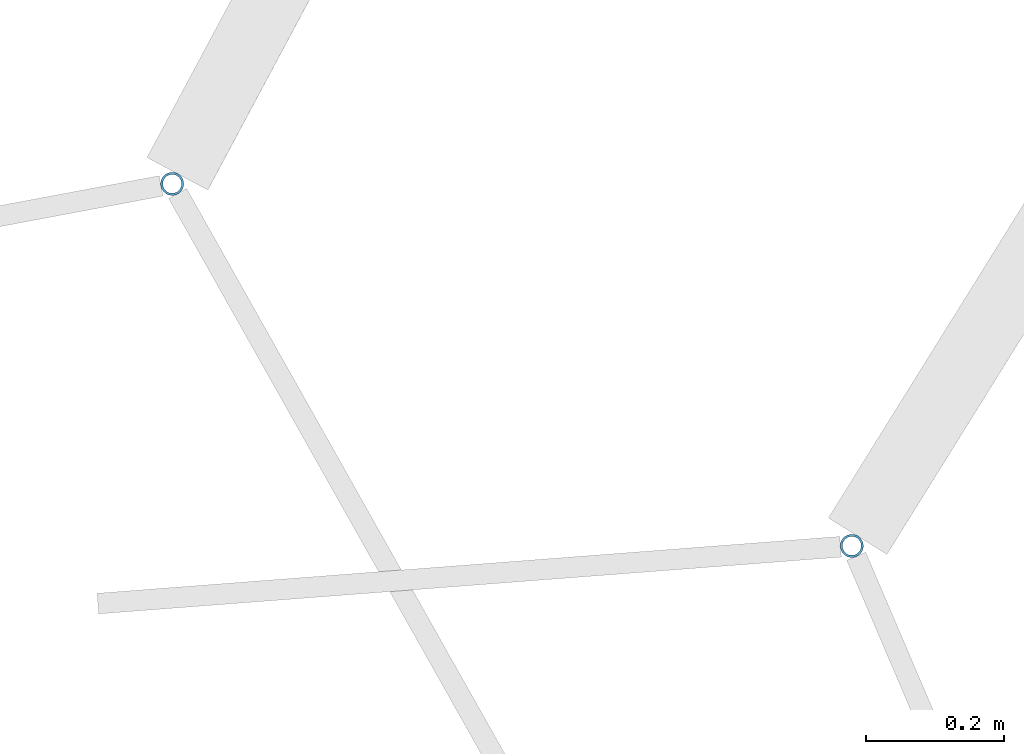
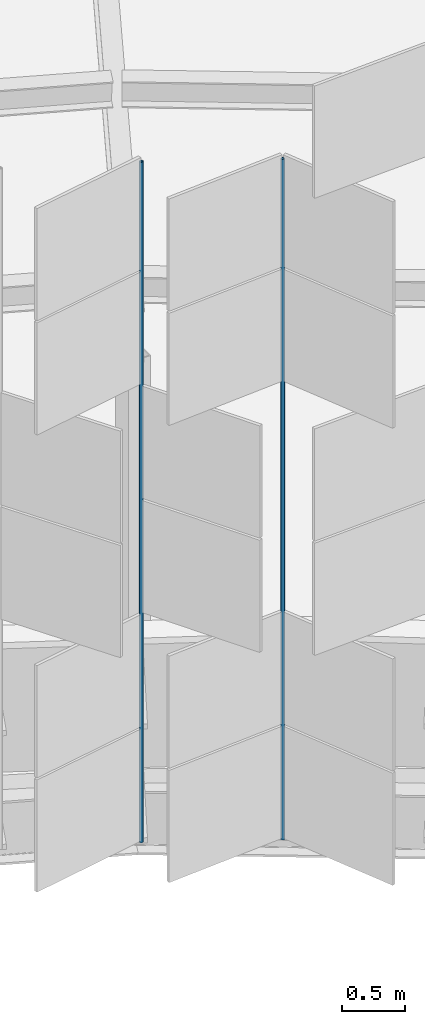
# One storey, part 250 of 483: 2 discrete accessories.
"""IFC4 building model written with IfcOpenShell, lengths in metres."""

from ifc_helpers import new_model, si_unit, direction, frame, origin, origin_2d, place, context, subcontext, project, spatial, hollow_circle, extrude, material, material_profile, profile_set, type_object, element, save


model = new_model("IFC4")

# Units and contexts
model_context = context("Model", 3, precision=1e-05, world=origin(), true_north=direction((0.0, 1.0)))
body_context = subcontext(model_context, "Body", "Model", "MODEL_VIEW")
ifc_project = project(units=[si_unit("LENGTHUNIT", "METRE"), si_unit("AREAUNIT", "SQUARE_METRE"), si_unit("VOLUMEUNIT", "CUBIC_METRE"), si_unit("PLANEANGLEUNIT", "RADIAN"), si_unit("MASSUNIT", "GRAM", prefix="KILO")], contexts=[model_context])

# Site, building, storey
site_placement = place(None, origin())
site = spatial("IfcSite", under=ifc_project, at=site_placement, CompositionType="ELEMENT")
building_placement = place(site_placement, origin())
building = spatial("IfcBuilding", under=site, at=building_placement, Name="Parallax Yard Mobility Hub", CompositionType="ELEMENT")
storey_placement = place(building_placement, frame((0.0, 0.0, 13.199951171875)))
storey = spatial("IfcBuildingStorey", under=building, at=storey_placement, Name="L04", CompositionType="ELEMENT", Elevation=13.199951171875)

# Discrete accessories
ifc_material = material(Name="Steel ASTM A500 Gr C, hot-dip galvanised", Category="steel")
ifc_material_profile = material_profile(ifc_material, hollow_circle(Radius=0.016845703125, WallThickness=0.003173828125, at=origin_2d()), Name="CHS 33.7x3.2")
ifc_profile_set = profile_set([ifc_material_profile], Name="Steel ASTM A500 Gr C, hot-dip galvanised")
discrete_accessory_type = type_object("IfcDiscreteAccessoryType", Name="Hinge post CHS 33.7x3.2", PredefinedType="BRACKET", material=ifc_profile_set)
for number, where, z_axis, x_axis, name in (
    (1, (182.2451171875, 109.156005859375, 0.0), (0.0, 0.0, 1.0), (1.0, 0.0, 0.0), "Hinge post bay 19.4 level L04"),
    (2, (183.23046875, 108.631103515625, 0.0), (0.0, 0.0, 1.0), (1.0, 0.0, 0.0), "Hinge post bay 19.5 level L04"),
):
    element("IfcDiscreteAccessory", number, at=place(storey_placement, frame(where, z_axis=z_axis, x_axis=x_axis)), inside=storey, type_object=discrete_accessory_type, Name=name, PredefinedType="BRACKET", context=body_context, shape_type="SweptSolid", body=[
        extrude(hollow_circle(Radius=0.016845703125, WallThickness=0.003173828125, at=origin_2d()), origin(), (0.0, 0.0, 1.0), 6.550048828125),
    ])

save(model, "model.ifc")
